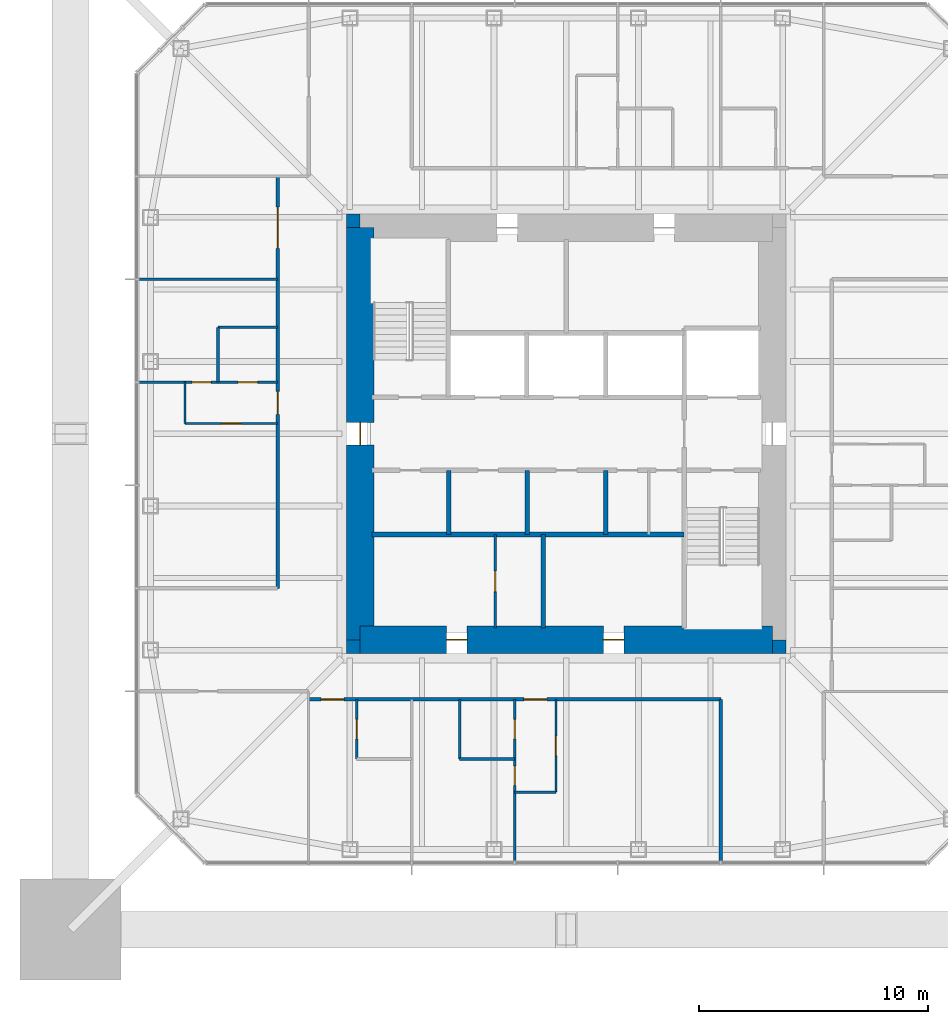
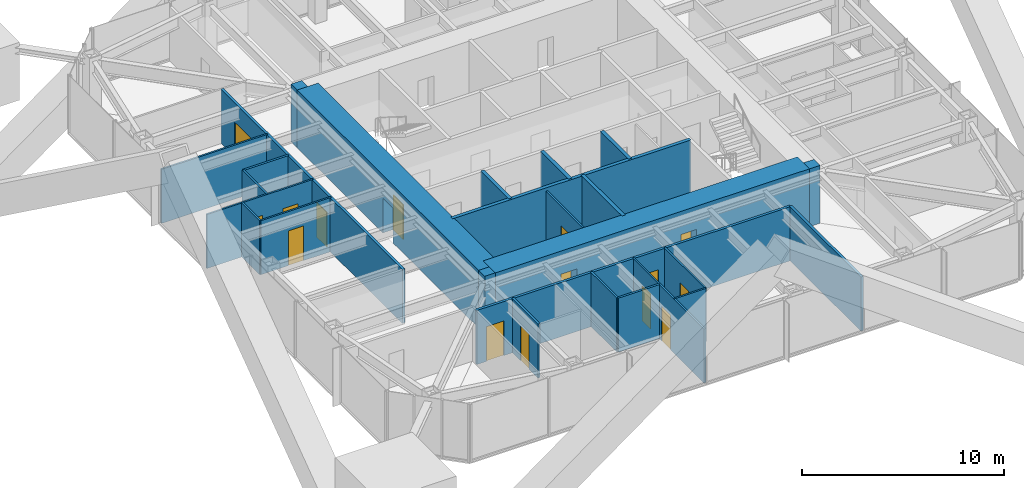
# One storey, part 8 of 13: 26 walls, 15 doors, 15 openings.
"""IFC4 building model written with IfcOpenShell, lengths in metres."""

from ifc_helpers import new_model, si_unit, direction, frame, frame_2d, origin, place, context, subcontext, project, spatial, rectangle, extrude, material, layer, layer_set, type_object, element, fill, save


model = new_model("IFC4")

# Units and contexts
model_context = context("Model", 3, precision=1e-05, world=origin(), true_north=direction((0.0, 1.0)))
body_context = subcontext(model_context, "Body", "Model", "MODEL_VIEW")
ifc_project = project(units=[si_unit("LENGTHUNIT", "METRE"), si_unit("AREAUNIT", "SQUARE_METRE"), si_unit("VOLUMEUNIT", "CUBIC_METRE"), si_unit("PLANEANGLEUNIT", "RADIAN"), si_unit("MASSUNIT", "GRAM", prefix="KILO")], contexts=[model_context])

# Site, building, storey
site_placement = place(None, origin())
site = spatial("IfcSite", under=ifc_project, at=site_placement, CompositionType="ELEMENT")
building_placement = place(site_placement, origin())
building = spatial("IfcBuilding", under=site, at=building_placement, Name="Iwan Alto Co-Living Towers", CompositionType="ELEMENT")
storey_placement = place(building_placement, frame((0.0, 0.0, 184.5)))
storey = spatial("IfcBuildingStorey", under=building, at=storey_placement, Name="L50", CompositionType="ELEMENT", Elevation=184.5)

# Wall, openings, doors
ifc_material_1 = material(Name="Gypsum board")
ifc_layer_1 = layer(ifc_material_1, 0.02490234375, Name="Board", Category="Finish")
ifc_material_2 = material(Name="Steel ASTM A1003 ST33H cold-formed studs", Category="steel")
ifc_layer_2 = layer(ifc_material_2, 0.10009765625, Name="Studs", Category="Framing")
ifc_layer_3 = layer(ifc_material_1, 0.02490234375, Name="Board", Category="Finish")
ifc_layer_set_1 = layer_set([ifc_layer_1, ifc_layer_2, ifc_layer_3], Name="CORRIDOR WALL 150")
wall_type_1 = type_object("IfcWallType", Name="CORRIDOR WALL 150", PredefinedType="PARTITIONING", material=ifc_layer_set_1)
wall_1_placement = place(storey_placement, frame((-11.25, -11.60009765625, 0.0), z_axis=(0.0, 0.0, 1.0), x_axis=(1.0, 0.0, 0.0)))
wall_1 = element("IfcWall", 1, at=wall_1_placement, inside=storey, type_object=wall_type_1, Name="Partition L50", PredefinedType="PARTITIONING", context=body_context, shape_type="SweptSolid", body=[
    extrude(rectangle(XDim=18.0, YDim=0.14990234375, at=frame_2d((9.0, 0.0))), origin(), (0.0, 0.0, 1.0), 3.27001953125),
])
opening_1_placement = place(wall_1_placement, frame((0.550048828125, 0.0, 0.0)))
opening_1 = element("IfcOpeningElement", 2, at=opening_1_placement, cuts=wall_1, Name="Opening D3", PredefinedType="OPENING", context=body_context, shape_type="SweptSolid", body=[
    extrude(rectangle(XDim=1.0, YDim=2.10009765625, at=frame_2d((0.5, 1.050048828125))), frame((0.0, 0.0849609375, 0.0), z_axis=(0.0, -1.0, 0.0), x_axis=(1.0, 0.0, 0.0)), (0.0, 0.0, 1.0), 0.169921875),
])
opening_2_placement = place(wall_1_placement, frame((9.39990234375, 0.0, 0.0)))
opening_2 = element("IfcOpeningElement", 3, at=opening_2_placement, cuts=wall_1, Name="Opening D3", PredefinedType="OPENING", context=body_context, shape_type="SweptSolid", body=[
    extrude(rectangle(XDim=1.0, YDim=2.10009765625, at=frame_2d((0.5, 1.050048828125))), frame((0.0, 0.0849609375, 0.0), z_axis=(0.0, -1.0, 0.0), x_axis=(1.0, 0.0, 0.0)), (0.0, 0.0, 1.0), 0.169921875),
])
ifc_material_3 = material(Name="Steel frame with timber leaf", Category="steel")
door_type_1 = type_object("IfcDoorType", Name="FLAT ENTRANCE DOOR FD30S 1000X2100", OperationType="SINGLE_SWING_LEFT", PredefinedType="DOOR", material=ifc_material_3)
door_1_placement = place(opening_1_placement, frame((1.0, 0.0, 0.0), z_axis=(0.0, 0.0, 1.0), x_axis=(-1.0, 0.0, 0.0)))
door_1 = element("IfcDoor", 4, at=door_1_placement, inside=storey, type_object=door_type_1, Name="Studio door L50", OperationType="SINGLE_SWING_RIGHT", OverallHeight=2.10009765625, OverallWidth=1.0, PredefinedType="DOOR", context=body_context, shape_type="SweptSolid", body=[
    extrude(rectangle(XDim=1.0, YDim=2.10009765625, at=frame_2d((0.5, 1.050048828125))), frame((0.0, 0.02490234375, 0.0), z_axis=(0.0, -1.0, 0.0), x_axis=(1.0, 0.0, 0.0)), (0.0, 0.0, 1.0), 0.050048828125),
])
fill(opening_1, door_1)
door_2_placement = place(opening_2_placement, frame((1.0, 0.0, 0.0), z_axis=(0.0, 0.0, 1.0), x_axis=(-1.0, 0.0, 0.0)))
door_2 = element("IfcDoor", 5, at=door_2_placement, inside=storey, type_object=door_type_1, Name="Apartment foyer door L50", OperationType="SINGLE_SWING_RIGHT", OverallHeight=2.10009765625, OverallWidth=1.0, PredefinedType="DOOR", context=body_context, shape_type="SweptSolid", body=[
    extrude(rectangle(XDim=1.0, YDim=2.10009765625, at=frame_2d((0.5, 1.050048828125))), frame((0.0, 0.02490234375, 0.0), z_axis=(0.0, -1.0, 0.0), x_axis=(1.0, 0.0, 0.0)), (0.0, 0.0, 1.0), 0.050048828125),
])
fill(opening_2, door_2)

# Wall
wall_2_placement = place(storey_placement, frame((6.75, -18.68994140625, 0.0), z_axis=(0.0, 0.0, 1.0), x_axis=(0.0, 1.0, 0.0)))
element("IfcWall", 6, at=wall_2_placement, inside=storey, type_object=wall_type_1, Name="Partition L50", PredefinedType="PARTITIONING", context=body_context, shape_type="SweptSolid", body=[
    extrude(rectangle(XDim=7.08984375, YDim=0.14990234375, at=frame_2d((3.544921875, 0.0))), origin(), (0.0, 0.0, 1.0), 3.27001953125),
])

# Wall, openings, doors
wall_3_placement = place(storey_placement, frame((-12.60009765625, -6.75, 0.0), z_axis=(0.0, 0.0, 1.0), x_axis=(0.0, 1.0, 0.0)))
wall_3 = element("IfcWall", 7, at=wall_3_placement, inside=storey, type_object=wall_type_1, Name="Partition L50", PredefinedType="PARTITIONING", context=body_context, shape_type="SweptSolid", body=[
    extrude(rectangle(XDim=18.0, YDim=0.14990234375, at=frame_2d((9.0, 0.0))), origin(), (0.0, 0.0, 1.0), 3.27001953125),
])
opening_3_placement = place(wall_3_placement, frame((14.85009765625, 0.0, 0.0)))
opening_3 = element("IfcOpeningElement", 8, at=opening_3_placement, cuts=wall_3, Name="Opening D9", PredefinedType="OPENING", context=body_context, shape_type="SweptSolid", body=[
    extrude(rectangle(XDim=1.800048828125, YDim=2.10009765625, at=frame_2d((0.89990234375, 1.050048828125))), frame((0.0, 0.0849609375, 0.0), z_axis=(0.0, -1.0, 0.0), x_axis=(1.0, 0.0, 0.0)), (0.0, 0.0, 1.0), 0.169921875),
])
opening_4_placement = place(wall_3_placement, frame((7.60009765625, 0.0, 0.0)))
opening_4 = element("IfcOpeningElement", 9, at=opening_4_placement, cuts=wall_3, Name="Opening D3", PredefinedType="OPENING", context=body_context, shape_type="SweptSolid", body=[
    extrude(rectangle(XDim=1.0, YDim=2.10009765625, at=frame_2d((0.5, 1.050048828125))), frame((0.0, 0.0849609375, 0.0), z_axis=(0.0, -1.0, 0.0), x_axis=(1.0, 0.0, 0.0)), (0.0, 0.0, 1.0), 0.169921875),
])
door_3_placement = place(opening_4_placement, origin())
door_3 = element("IfcDoor", 10, at=door_3_placement, inside=storey, type_object=door_type_1, Name="Apartment foyer door L50", OperationType="SINGLE_SWING_LEFT", OverallHeight=2.10009765625, OverallWidth=1.0, PredefinedType="DOOR", context=body_context, shape_type="SweptSolid", body=[
    extrude(rectangle(XDim=1.0, YDim=2.10009765625, at=frame_2d((0.5, 1.050048828125))), frame((0.0, 0.02490234375, 0.0), z_axis=(0.0, -1.0, 0.0), x_axis=(1.0, 0.0, 0.0)), (0.0, 0.0, 1.0), 0.050048828125),
])
fill(opening_4, door_3)
ifc_material_4 = material(Name="Steel frame with timber leaf", Category="steel")
door_type_2 = type_object("IfcDoorType", Name="LOUNGE DOOR FD30S 1800X2100", OperationType="DOUBLE_DOOR_SINGLE_SWING", PredefinedType="DOOR", material=ifc_material_4)
door_4_placement = place(opening_3_placement, origin())
door_4 = element("IfcDoor", 11, at=door_4_placement, inside=storey, type_object=door_type_2, Name="Music practice room door L50", OperationType="DOUBLE_DOOR_SINGLE_SWING", OverallHeight=2.10009765625, OverallWidth=1.800048828125, PredefinedType="DOOR", context=body_context, shape_type="SweptSolid", body=[
    extrude(rectangle(XDim=1.800048828125, YDim=2.10009765625, at=frame_2d((0.89990234375, 1.050048828125))), frame((0.0, 0.02490234375, 0.0), z_axis=(0.0, -1.0, 0.0), x_axis=(1.0, 0.0, 0.0)), (0.0, 0.0, 1.0), 0.050048828125),
])
fill(opening_3, door_4)

# Wall
ifc_layer_4 = layer(ifc_material_1, 0.012451171875, Name="Board", Category="Finish")
ifc_layer_5 = layer(ifc_material_2, 0.074951171875, Name="Studs", Category="Framing")
ifc_layer_6 = layer(ifc_material_1, 0.012451171875, Name="Board", Category="Finish")
ifc_layer_set_2 = layer_set([ifc_layer_4, ifc_layer_5, ifc_layer_6], Name="PARTITION 100")
wall_type_2 = type_object("IfcWallType", Name="PARTITION 100", PredefinedType="PARTITIONING", material=ifc_layer_set_2)
wall_4_placement = place(storey_placement, frame((-2.25, -15.64990234375, 0.0), z_axis=(0.0, 0.0, 1.0), x_axis=(1.0, 0.0, 0.0)))
element("IfcWall", 12, at=wall_4_placement, inside=storey, type_object=wall_type_2, Name="Partition L50", PredefinedType="PARTITIONING", context=body_context, shape_type="SweptSolid", body=[
    extrude(rectangle(XDim=1.800048828125, YDim=0.10009765625, at=frame_2d((0.89990234375, 0.0))), origin(), (0.0, 0.0, 1.0), 3.27001953125),
])

# Wall, opening, door
wall_5_placement = place(storey_placement, frame((-16.64990234375, 0.449951171875, 0.0), z_axis=(0.0, 0.0, 1.0), x_axis=(1.0, 0.0, 0.0)))
wall_5 = element("IfcWall", 13, at=wall_5_placement, inside=storey, type_object=wall_type_2, Name="Partition L50", PredefinedType="PARTITIONING", context=body_context, shape_type="SweptSolid", body=[
    extrude(rectangle(XDim=4.0498046875, YDim=0.10009765625, at=frame_2d((2.02490234375, 0.0))), origin(), (0.0, 0.0, 1.0), 3.27001953125),
])
opening_5_placement = place(wall_5_placement, frame((1.60009765625, 0.0, 0.0)))
opening_5 = element("IfcOpeningElement", 14, at=opening_5_placement, cuts=wall_5, Name="Opening D2", PredefinedType="OPENING", context=body_context, shape_type="SweptSolid", body=[
    extrude(rectangle(XDim=0.85009765625, YDim=2.10009765625, at=frame_2d((0.425048828125, 1.050048828125))), frame((0.0, 0.06005859375, 0.0), z_axis=(0.0, -1.0, 0.0), x_axis=(1.0, 0.0, 0.0)), (0.0, 0.0, 1.0), 0.1201171875),
])
ifc_material_5 = material(Name="Timber leaf in steel frame", Category="steel")
door_type_3 = type_object("IfcDoorType", Name="ROOM DOOR 850X2100", OperationType="SINGLE_SWING_LEFT", PredefinedType="DOOR", material=ifc_material_5)
door_5_placement = place(opening_5_placement, frame((0.85009765625, 0.0, 0.0), z_axis=(0.0, 0.0, 1.0), x_axis=(-1.0, 0.0, 0.0)))
door_5 = element("IfcDoor", 15, at=door_5_placement, inside=storey, type_object=door_type_3, Name="Apartment foyer door L50", OperationType="SINGLE_SWING_LEFT", OverallHeight=2.10009765625, OverallWidth=0.85009765625, PredefinedType="DOOR", context=body_context, shape_type="SweptSolid", body=[
    extrude(rectangle(XDim=0.85009765625, YDim=2.10009765625, at=frame_2d((0.425048828125, 1.050048828125))), frame((0.0, 0.02490234375, 0.0), z_axis=(0.0, -1.0, 0.0), x_axis=(1.0, 0.0, 0.0)), (0.0, 0.0, 1.0), 0.050048828125),
])
fill(opening_5, door_5)

# Wall, openings, doors
wall_6_placement = place(storey_placement, frame((-18.68994140625, 2.25, 0.0), z_axis=(0.0, 0.0, 1.0), x_axis=(1.0, 0.0, 0.0)))
wall_6 = element("IfcWall", 16, at=wall_6_placement, inside=storey, type_object=wall_type_2, Name="Partition L50", PredefinedType="PARTITIONING", context=body_context, shape_type="SweptSolid", body=[
    extrude(rectangle(XDim=6.08984375, YDim=0.10009765625, at=frame_2d((3.044921875, 0.0))), origin(), (0.0, 0.0, 1.0), 3.27001953125),
])
opening_6_placement = place(wall_6_placement, frame((2.340087890625, 0.0, 0.0)))
opening_6 = element("IfcOpeningElement", 17, at=opening_6_placement, cuts=wall_6, Name="Opening D2", PredefinedType="OPENING", context=body_context, shape_type="SweptSolid", body=[
    extrude(rectangle(XDim=0.85009765625, YDim=2.10009765625, at=frame_2d((0.425048828125, 1.050048828125))), frame((0.0, 0.06005859375, 0.0), z_axis=(0.0, -1.0, 0.0), x_axis=(1.0, 0.0, 0.0)), (0.0, 0.0, 1.0), 0.1201171875),
])
opening_7_placement = place(wall_6_placement, frame((4.364990234375, 0.0, 0.0)))
opening_7 = element("IfcOpeningElement", 18, at=opening_7_placement, cuts=wall_6, Name="Opening D2", PredefinedType="OPENING", context=body_context, shape_type="SweptSolid", body=[
    extrude(rectangle(XDim=0.85009765625, YDim=2.10009765625, at=frame_2d((0.425048828125, 1.050048828125))), frame((0.0, 0.06005859375, 0.0), z_axis=(0.0, -1.0, 0.0), x_axis=(1.0, 0.0, 0.0)), (0.0, 0.0, 1.0), 0.1201171875),
])
door_6_placement = place(opening_6_placement, origin())
door_6 = element("IfcDoor", 19, at=door_6_placement, inside=storey, type_object=door_type_3, Name="Bedroom door L50", OperationType="SINGLE_SWING_RIGHT", OverallHeight=2.10009765625, OverallWidth=0.85009765625, PredefinedType="DOOR", context=body_context, shape_type="SweptSolid", body=[
    extrude(rectangle(XDim=0.85009765625, YDim=2.10009765625, at=frame_2d((0.425048828125, 1.050048828125))), frame((0.0, 0.02490234375, 0.0), z_axis=(0.0, -1.0, 0.0), x_axis=(1.0, 0.0, 0.0)), (0.0, 0.0, 1.0), 0.050048828125),
])
fill(opening_6, door_6)
door_7_placement = place(opening_7_placement, origin())
door_7 = element("IfcDoor", 20, at=door_7_placement, inside=storey, type_object=door_type_3, Name="Bathroom door L50", OperationType="SINGLE_SWING_LEFT", OverallHeight=2.10009765625, OverallWidth=0.85009765625, PredefinedType="DOOR", context=body_context, shape_type="SweptSolid", body=[
    extrude(rectangle(XDim=0.85009765625, YDim=2.10009765625, at=frame_2d((0.425048828125, 1.050048828125))), frame((0.0, 0.02490234375, 0.0), z_axis=(0.0, -1.0, 0.0), x_axis=(1.0, 0.0, 0.0)), (0.0, 0.0, 1.0), 0.050048828125),
])
fill(opening_7, door_7)

# Wall
wall_7_placement = place(storey_placement, frame((-18.68994140625, 6.75, 0.0), z_axis=(0.0, 0.0, 1.0), x_axis=(1.0, 0.0, 0.0)))
element("IfcWall", 21, at=wall_7_placement, inside=storey, type_object=wall_type_2, Name="Partition L50", PredefinedType="PARTITIONING", context=body_context, shape_type="SweptSolid", body=[
    extrude(rectangle(XDim=6.08984375, YDim=0.10009765625, at=frame_2d((3.044921875, 0.0))), origin(), (0.0, 0.0, 1.0), 3.27001953125),
])

# Wall, opening, door
wall_8_placement = place(storey_placement, frame((-0.449951171875, -15.64990234375, 0.0), z_axis=(0.0, 0.0, 1.0), x_axis=(0.0, 1.0, 0.0)))
wall_8 = element("IfcWall", 22, at=wall_8_placement, inside=storey, type_object=wall_type_2, Name="Partition L50", PredefinedType="PARTITIONING", context=body_context, shape_type="SweptSolid", body=[
    extrude(rectangle(XDim=4.0498046875, YDim=0.10009765625, at=frame_2d((2.02490234375, 0.0))), origin(), (0.0, 0.0, 1.0), 3.27001953125),
])
opening_8_placement = place(wall_8_placement, frame((1.60009765625, 0.0, 0.0)))
opening_8 = element("IfcOpeningElement", 23, at=opening_8_placement, cuts=wall_8, Name="Opening D2", PredefinedType="OPENING", context=body_context, shape_type="SweptSolid", body=[
    extrude(rectangle(XDim=0.85009765625, YDim=2.10009765625, at=frame_2d((0.425048828125, 1.050048828125))), frame((0.0, 0.06005859375, 0.0), z_axis=(0.0, -1.0, 0.0), x_axis=(1.0, 0.0, 0.0)), (0.0, 0.0, 1.0), 0.1201171875),
])
door_8_placement = place(opening_8_placement, frame((0.85009765625, 0.0, 0.0), z_axis=(0.0, 0.0, 1.0), x_axis=(-1.0, 0.0, 0.0)))
door_8 = element("IfcDoor", 24, at=door_8_placement, inside=storey, type_object=door_type_3, Name="Apartment foyer door L50", OperationType="SINGLE_SWING_LEFT", OverallHeight=2.10009765625, OverallWidth=0.85009765625, PredefinedType="DOOR", context=body_context, shape_type="SweptSolid", body=[
    extrude(rectangle(XDim=0.85009765625, YDim=2.10009765625, at=frame_2d((0.425048828125, 1.050048828125))), frame((0.0, 0.02490234375, 0.0), z_axis=(0.0, -1.0, 0.0), x_axis=(1.0, 0.0, 0.0)), (0.0, 0.0, 1.0), 0.050048828125),
])
fill(opening_8, door_8)

# Wall, openings, doors
wall_9_placement = place(storey_placement, frame((-2.25, -18.68994140625, 0.0), z_axis=(0.0, 0.0, 1.0), x_axis=(0.0, 1.0, 0.0)))
wall_9 = element("IfcWall", 25, at=wall_9_placement, inside=storey, type_object=wall_type_2, Name="Partition L50", PredefinedType="PARTITIONING", context=body_context, shape_type="SweptSolid", body=[
    extrude(rectangle(XDim=7.08984375, YDim=0.10009765625, at=frame_2d((3.544921875, 0.0))), origin(), (0.0, 0.0, 1.0), 3.27001953125),
])
opening_9_placement = place(wall_9_placement, frame((3.340087890625, 0.0, 0.0)))
opening_9 = element("IfcOpeningElement", 26, at=opening_9_placement, cuts=wall_9, Name="Opening D2", PredefinedType="OPENING", context=body_context, shape_type="SweptSolid", body=[
    extrude(rectangle(XDim=0.85009765625, YDim=2.10009765625, at=frame_2d((0.425048828125, 1.050048828125))), frame((0.0, 0.06005859375, 0.0), z_axis=(0.0, -1.0, 0.0), x_axis=(1.0, 0.0, 0.0)), (0.0, 0.0, 1.0), 0.1201171875),
])
opening_10_placement = place(wall_9_placement, frame((5.364990234375, 0.0, 0.0)))
opening_10 = element("IfcOpeningElement", 27, at=opening_10_placement, cuts=wall_9, Name="Opening D2", PredefinedType="OPENING", context=body_context, shape_type="SweptSolid", body=[
    extrude(rectangle(XDim=0.85009765625, YDim=2.10009765625, at=frame_2d((0.425048828125, 1.050048828125))), frame((0.0, 0.06005859375, 0.0), z_axis=(0.0, -1.0, 0.0), x_axis=(1.0, 0.0, 0.0)), (0.0, 0.0, 1.0), 0.1201171875),
])
door_9_placement = place(opening_9_placement, origin())
door_9 = element("IfcDoor", 28, at=door_9_placement, inside=storey, type_object=door_type_3, Name="Bedroom door L50", OperationType="SINGLE_SWING_RIGHT", OverallHeight=2.10009765625, OverallWidth=0.85009765625, PredefinedType="DOOR", context=body_context, shape_type="SweptSolid", body=[
    extrude(rectangle(XDim=0.85009765625, YDim=2.10009765625, at=frame_2d((0.425048828125, 1.050048828125))), frame((0.0, 0.02490234375, 0.0), z_axis=(0.0, -1.0, 0.0), x_axis=(1.0, 0.0, 0.0)), (0.0, 0.0, 1.0), 0.050048828125),
])
fill(opening_9, door_9)
door_10_placement = place(opening_10_placement, origin())
door_10 = element("IfcDoor", 29, at=door_10_placement, inside=storey, type_object=door_type_3, Name="Bathroom door L50", OperationType="SINGLE_SWING_LEFT", OverallHeight=2.10009765625, OverallWidth=0.85009765625, PredefinedType="DOOR", context=body_context, shape_type="SweptSolid", body=[
    extrude(rectangle(XDim=0.85009765625, YDim=2.10009765625, at=frame_2d((0.425048828125, 1.050048828125))), frame((0.0, 0.02490234375, 0.0), z_axis=(0.0, -1.0, 0.0), x_axis=(1.0, 0.0, 0.0)), (0.0, 0.0, 1.0), 0.050048828125),
])
fill(opening_10, door_10)

# Wall, opening, door
wall_10_placement = place(storey_placement, frame((-3.10009765625, -8.489990234375, 0.0), z_axis=(0.0, 0.0, 1.0), x_axis=(0.0, 1.0, 0.0)))
wall_10 = element("IfcWall", 30, at=wall_10_placement, inside=storey, type_object=wall_type_2, Name="Partition L50", PredefinedType="PARTITIONING", context=body_context, shape_type="SweptSolid", body=[
    extrude(rectangle(XDim=4.090087890625, YDim=0.10009765625, at=frame_2d((2.044921875, 0.0))), origin(), (0.0, 0.0, 1.0), 3.300048828125),
])
opening_11_placement = place(wall_10_placement, frame((1.594970703125, 0.0, 0.0)))
opening_11 = element("IfcOpeningElement", 31, at=opening_11_placement, cuts=wall_10, Name="Opening D16", PredefinedType="OPENING", context=body_context, shape_type="SweptSolid", body=[
    extrude(rectangle(XDim=0.89990234375, YDim=2.10009765625, at=frame_2d((0.449951171875, 1.050048828125))), frame((0.0, 0.06005859375, 0.0), z_axis=(0.0, -1.0, 0.0), x_axis=(1.0, 0.0, 0.0)), (0.0, 0.0, 1.0), 0.1201171875),
])
ifc_material_6 = material(Name="Timber leaf in steel frame", Category="steel")
door_type_4 = type_object("IfcDoorType", Name="CUPBOARD SLIDING DOOR 900X2100", OperationType="SLIDING_TO_LEFT", PredefinedType="DOOR", material=ifc_material_6)
door_11_placement = place(opening_11_placement, origin())
door_11 = element("IfcDoor", 32, at=door_11_placement, inside=storey, type_object=door_type_4, Name="Recycling store door L50", OperationType="SLIDING_TO_LEFT", OverallHeight=2.10009765625, OverallWidth=0.89990234375, PredefinedType="DOOR", context=body_context, shape_type="SweptSolid", body=[
    extrude(rectangle(XDim=0.89990234375, YDim=2.10009765625, at=frame_2d((0.449951171875, 1.050048828125))), frame((0.0, 0.02490234375, 0.0), z_axis=(0.0, -1.0, 0.0), x_axis=(1.0, 0.0, 0.0)), (0.0, 0.0, 1.0), 0.050048828125),
])
fill(opening_11, door_11)

# Walls
wall_11_placement = place(storey_placement, frame((-16.64990234375, 0.449951171875, 0.0), z_axis=(0.0, 0.0, 1.0), x_axis=(0.0, 1.0, 0.0)))
element("IfcWall", 33, at=wall_11_placement, inside=storey, type_object=wall_type_2, Name="Partition L50", PredefinedType="PARTITIONING", context=body_context, shape_type="SweptSolid", body=[
    extrude(rectangle(XDim=1.800048828125, YDim=0.10009765625, at=frame_2d((0.89990234375, 0.0))), origin(), (0.0, 0.0, 1.0), 3.27001953125),
])
ifc_material_7 = material(Name="Concrete f'c 70 MPa", Category="concrete")
ifc_layer_7 = layer(ifc_material_7, 0.199951171875)
ifc_layer_set_3 = layer_set([ifc_layer_7], Name="SHAFT WALL 200")
wall_type_3 = type_object("IfcWallType", Name="SHAFT WALL 200", PredefinedType="SOLIDWALL", material=ifc_layer_set_3)
wall_12_placement = place(storey_placement, frame((-8.489990234375, -4.39990234375, 0.0), z_axis=(0.0, 0.0, 1.0), x_axis=(1.0, 0.0, 0.0)))
element("IfcWall", 34, at=wall_12_placement, inside=storey, type_object=wall_type_3, Name="Shaft wall L50", PredefinedType="SOLIDWALL", context=body_context, shape_type="SweptSolid", body=[
    extrude(rectangle(XDim=13.639892578125, YDim=0.199951171875, at=frame_2d((6.81982421875, 0.0))), origin(), (0.0, 0.0, 1.0), 3.5),
])
wall_13_placement = place(storey_placement, frame((1.72509765625, -4.39990234375, 0.0), z_axis=(0.0, 0.0, 1.0), x_axis=(0.0, 1.0, 0.0)))
element("IfcWall", 35, at=wall_13_placement, inside=storey, type_object=wall_type_3, Name="Shaft wall L50", PredefinedType="SOLIDWALL", context=body_context, shape_type="SweptSolid", body=[
    extrude(rectangle(XDim=2.7998046875, YDim=0.199951171875, at=frame_2d((1.39990234375, 0.0))), origin(), (0.0, 0.0, 1.0), 3.5),
])
wall_14_placement = place(storey_placement, frame((-1.0, -8.489990234375, 0.0), z_axis=(0.0, 0.0, 1.0), x_axis=(0.0, 1.0, 0.0)))
element("IfcWall", 36, at=wall_14_placement, inside=storey, type_object=wall_type_3, Name="Shaft wall L50", PredefinedType="SOLIDWALL", context=body_context, shape_type="SweptSolid", body=[
    extrude(rectangle(XDim=4.090087890625, YDim=0.199951171875, at=frame_2d((2.044921875, 0.0))), origin(), (0.0, 0.0, 1.0), 3.5),
])
for number, where, z_axis, x_axis, name in (
    (37, (-1.699951171875, -4.39990234375, 0.0), (0.0, 0.0, 1.0), (0.0, 1.0, 0.0), "Shaft wall L50"),
    (38, (-5.125, -4.39990234375, 0.0), (0.0, 0.0, 1.0), (0.0, 1.0, 0.0), "Shaft wall L50"),
):
    element("IfcWall", number, at=place(storey_placement, frame(where, z_axis=z_axis, x_axis=x_axis)), inside=storey, type_object=wall_type_3, Name=name, PredefinedType="SOLIDWALL", context=body_context, shape_type="SweptSolid", body=[
        extrude(rectangle(XDim=2.7998046875, YDim=0.199951171875, at=frame_2d((1.39990234375, 0.0))), origin(), (0.0, 0.0, 1.0), 3.5),
    ])
ifc_material_8 = material(Name="Concrete f'c 70 MPa", Category="concrete")
ifc_layer_8 = layer(ifc_material_8, 0.60009765625)
ifc_layer_set_4 = layer_set([ifc_layer_8], Name="T1 CORE CORNER FILL 600")
wall_type_4 = type_object("IfcWallType", Name="T1 CORE CORNER FILL 600", PredefinedType="SOLIDWALL", material=ifc_layer_set_4)
for number, where, z_axis, x_axis, name in (
    (39, (-9.60009765625, -9.300048828125, 0.0), (0.0, 0.0, 1.0), (1.0, 0.0, 0.0), "T1 core corner SW L50"),
    (40, (9.0, -9.300048828125, 0.0), (0.0, 0.0, 1.0), (1.0, 0.0, 0.0), "T1 core corner SE L50"),
    (41, (-9.60009765625, 9.300048828125, 0.0), (0.0, 0.0, 1.0), (1.0, 0.0, 0.0), "T1 core corner NW L50"),
):
    element("IfcWall", number, at=place(storey_placement, frame(where, z_axis=z_axis, x_axis=x_axis)), inside=storey, type_object=wall_type_4, Name=name, PredefinedType="SOLIDWALL", context=body_context, shape_type="SweptSolid", body=[
        extrude(rectangle(XDim=0.60009765625, YDim=0.60009765625, at=frame_2d((0.300048828125, 0.0))), origin(), (0.0, 0.0, 1.0), 3.5),
    ])

# Wall, openings, doors
ifc_material_9 = material(Name="Concrete f'c 70 MPa", Category="concrete")
ifc_layer_9 = layer(ifc_material_9, 1.199951171875)
ifc_layer_set_5 = layer_set([ifc_layer_9], Name="T1 CORE WALL 1200")
wall_type_5 = type_object("IfcWallType", Name="T1 CORE WALL 1200", PredefinedType="SHEAR", material=ifc_layer_set_5)
wall_15_placement = place(storey_placement, frame((-9.0, -9.0, 0.0), z_axis=(0.0, 0.0, 1.0), x_axis=(1.0, 0.0, 0.0)))
wall_15 = element("IfcWall", 42, at=wall_15_placement, inside=storey, type_object=wall_type_5, Name="T1 core wall S L50", PredefinedType="SHEAR", context=body_context, shape_type="SweptSolid", body=[
    extrude(rectangle(XDim=18.0, YDim=1.199951171875, at=frame_2d((9.0, 0.0))), origin(), (0.0, 0.0, 1.0), 3.5),
])
opening_12_placement = place(wall_15_placement, frame((3.77490234375, 0.0, 0.0)))
opening_12 = element("IfcOpeningElement", 43, at=opening_12_placement, cuts=wall_15, Name="Opening D8", PredefinedType="OPENING", context=body_context, shape_type="SweptSolid", body=[
    extrude(rectangle(XDim=0.89990234375, YDim=2.10009765625, at=frame_2d((0.449951171875, 1.050048828125))), frame((0.0, 0.60986328125, 0.0), z_axis=(0.0, -1.0, 0.0), x_axis=(1.0, 0.0, 0.0)), (0.0, 0.0, 1.0), 1.219970703125),
])
opening_13_placement = place(wall_15_placement, frame((10.625, 0.0, 0.0)))
opening_13 = element("IfcOpeningElement", 44, at=opening_13_placement, cuts=wall_15, Name="Opening D8", PredefinedType="OPENING", context=body_context, shape_type="SweptSolid", body=[
    extrude(rectangle(XDim=0.89990234375, YDim=2.10009765625, at=frame_2d((0.449951171875, 1.050048828125))), frame((0.0, 0.60986328125, 0.0), z_axis=(0.0, -1.0, 0.0), x_axis=(1.0, 0.0, 0.0)), (0.0, 0.0, 1.0), 1.219970703125),
])
ifc_material_10 = material(Name="Steel frame with timber leaf", Category="steel")
door_type_5 = type_object("IfcDoorType", Name="RISER DOOR FD120 900X2100", OperationType="SINGLE_SWING_LEFT", PredefinedType="DOOR", material=ifc_material_10)
door_12_placement = place(opening_12_placement, origin())
door_12 = element("IfcDoor", 45, at=door_12_placement, inside=storey, type_object=door_type_5, Name="Refuse room core door L50", OperationType="SINGLE_SWING_RIGHT", OverallHeight=2.10009765625, OverallWidth=0.89990234375, PredefinedType="DOOR", context=body_context, shape_type="SweptSolid", body=[
    extrude(rectangle(XDim=0.89990234375, YDim=2.10009765625, at=frame_2d((0.449951171875, 1.050048828125))), frame((0.0, 0.02490234375, 0.0), z_axis=(0.0, -1.0, 0.0), x_axis=(1.0, 0.0, 0.0)), (0.0, 0.0, 1.0), 0.050048828125),
])
fill(opening_12, door_12)
door_13_placement = place(opening_13_placement, origin())
door_13 = element("IfcDoor", 46, at=door_13_placement, inside=storey, type_object=door_type_5, Name="Telecom riser core door L50", OperationType="SINGLE_SWING_LEFT", OverallHeight=2.10009765625, OverallWidth=0.89990234375, PredefinedType="DOOR", context=body_context, shape_type="SweptSolid", body=[
    extrude(rectangle(XDim=0.89990234375, YDim=2.10009765625, at=frame_2d((0.449951171875, 1.050048828125))), frame((0.0, 0.02490234375, 0.0), z_axis=(0.0, -1.0, 0.0), x_axis=(1.0, 0.0, 0.0)), (0.0, 0.0, 1.0), 0.050048828125),
])
fill(opening_13, door_13)

# Wall, opening, door
wall_16_placement = place(storey_placement, frame((-9.0, 9.0, 0.0), z_axis=(0.0, 0.0, 1.0), x_axis=(0.0, -1.0, 0.0)))
wall_16 = element("IfcWall", 47, at=wall_16_placement, inside=storey, type_object=wall_type_5, Name="T1 core wall W L50", PredefinedType="SHEAR", context=body_context, shape_type="SweptSolid", body=[
    extrude(rectangle(XDim=18.0, YDim=1.199951171875, at=frame_2d((9.0, 0.0))), origin(), (0.0, 0.0, 1.0), 3.5),
])
opening_14_placement = place(wall_16_placement, frame((8.5, 0.0, 0.0)))
opening_14 = element("IfcOpeningElement", 48, at=opening_14_placement, cuts=wall_16, Name="Opening D7", PredefinedType="OPENING", context=body_context, shape_type="SweptSolid", body=[
    extrude(rectangle(XDim=1.0, YDim=2.10009765625, at=frame_2d((0.5, 1.050048828125))), frame((0.0, 0.60986328125, 0.0), z_axis=(0.0, -1.0, 0.0), x_axis=(1.0, 0.0, 0.0)), (0.0, 0.0, 1.0), 1.219970703125),
])
ifc_material_11 = material(Name="Steel frame with timber leaf", Category="steel")
door_type_6 = type_object("IfcDoorType", Name="CORE DOOR FD120S 1000X2100", OperationType="SINGLE_SWING_LEFT", PredefinedType="DOOR", material=ifc_material_11)
door_14_placement = place(opening_14_placement, origin())
door_14 = element("IfcDoor", 49, at=door_14_placement, inside=storey, type_object=door_type_6, Name="Lift lobby core door L50", OperationType="SINGLE_SWING_RIGHT", OverallHeight=2.10009765625, OverallWidth=1.0, PredefinedType="DOOR", context=body_context, shape_type="SweptSolid", body=[
    extrude(rectangle(XDim=1.0, YDim=2.10009765625, at=frame_2d((0.5, 1.050048828125))), frame((0.0, 0.02490234375, 0.0), z_axis=(0.0, -1.0, 0.0), x_axis=(1.0, 0.0, 0.0)), (0.0, 0.0, 1.0), 0.050048828125),
])
fill(opening_14, door_14)

# Walls
ifc_material_12 = material(Name="Cement board")
ifc_layer_10 = layer(ifc_material_12, 0.012451171875, Name="Board", Category="Finish")
ifc_layer_11 = layer(ifc_material_2, 0.094970703125, Name="Studs", Category="Framing")
ifc_layer_12 = layer(ifc_material_12, 0.012451171875, Name="Board", Category="Finish")
ifc_layer_set_6 = layer_set([ifc_layer_10, ifc_layer_11, ifc_layer_12], Name="WET AREA PARTITION 120")
wall_type_6 = type_object("IfcWallType", Name="WET AREA PARTITION 120", PredefinedType="PARTITIONING", material=ifc_layer_set_6)
wall_17_placement = place(storey_placement, frame((-4.64990234375, -14.199951171875, 0.0), z_axis=(0.0, 0.0, 1.0), x_axis=(1.0, 0.0, 0.0)))
element("IfcWall", 50, at=wall_17_placement, inside=storey, type_object=wall_type_6, Name="Partition L50", PredefinedType="PARTITIONING", context=body_context, shape_type="SweptSolid", body=[
    extrude(rectangle(XDim=2.39990234375, YDim=0.1201171875, at=frame_2d((1.199951171875, 0.0))), origin(), (0.0, 0.0, 1.0), 3.27001953125),
])
for number, where, z_axis, x_axis, name in (
    (51, (-15.199951171875, 4.64990234375, 0.0), (0.0, 0.0, 1.0), (1.0, 0.0, 0.0), "Partition L50"),
    (52, (-4.64990234375, -14.199951171875, 0.0), (0.0, 0.0, 1.0), (0.0, 1.0, 0.0), "Partition L50"),
):
    element("IfcWall", number, at=place(storey_placement, frame(where, z_axis=z_axis, x_axis=x_axis)), inside=storey, type_object=wall_type_6, Name=name, PredefinedType="PARTITIONING", context=body_context, shape_type="SweptSolid", body=[
        extrude(rectangle(XDim=2.599853515625, YDim=0.1201171875, at=frame_2d((1.2998046875, 0.0))), origin(), (0.0, 0.0, 1.0), 3.27001953125),
    ])

# Wall, opening, door
wall_18_placement = place(storey_placement, frame((-9.14990234375, -14.199951171875, 0.0), z_axis=(0.0, 0.0, 1.0), x_axis=(0.0, 1.0, 0.0)))
wall_18 = element("IfcWall", 53, at=wall_18_placement, inside=storey, type_object=wall_type_6, Name="Partition L50", PredefinedType="PARTITIONING", context=body_context, shape_type="SweptSolid", body=[
    extrude(rectangle(XDim=2.599853515625, YDim=0.1201171875, at=frame_2d((1.2998046875, 0.0))), origin(), (0.0, 0.0, 1.0), 3.27001953125),
])
opening_15_placement = place(wall_18_placement, frame((0.875, 0.0, 0.0)))
opening_15 = element("IfcOpeningElement", 54, at=opening_15_placement, cuts=wall_18, Name="Opening D2", PredefinedType="OPENING", context=body_context, shape_type="SweptSolid", body=[
    extrude(rectangle(XDim=0.85009765625, YDim=2.10009765625, at=frame_2d((0.425048828125, 1.050048828125))), frame((0.0, 0.070068359375, 0.0), z_axis=(0.0, -1.0, 0.0), x_axis=(1.0, 0.0, 0.0)), (0.0, 0.0, 1.0), 0.14013671875),
])
door_15_placement = place(opening_15_placement, origin())
door_15 = element("IfcDoor", 55, at=door_15_placement, inside=storey, type_object=door_type_3, Name="En-suite shower room door L50", OperationType="SINGLE_SWING_RIGHT", OverallHeight=2.10009765625, OverallWidth=0.85009765625, PredefinedType="DOOR", context=body_context, shape_type="SweptSolid", body=[
    extrude(rectangle(XDim=0.85009765625, YDim=2.10009765625, at=frame_2d((0.425048828125, 1.050048828125))), frame((0.0, 0.02490234375, 0.0), z_axis=(0.0, -1.0, 0.0), x_axis=(1.0, 0.0, 0.0)), (0.0, 0.0, 1.0), 0.050048828125),
])
fill(opening_15, door_15)

# Wall
wall_19_placement = place(storey_placement, frame((-15.199951171875, 2.25, 0.0), z_axis=(0.0, 0.0, 1.0), x_axis=(0.0, 1.0, 0.0)))
element("IfcWall", 56, at=wall_19_placement, inside=storey, type_object=wall_type_6, Name="Partition L50", PredefinedType="PARTITIONING", context=body_context, shape_type="SweptSolid", body=[
    extrude(rectangle(XDim=2.39990234375, YDim=0.1201171875, at=frame_2d((1.199951171875, 0.0))), origin(), (0.0, 0.0, 1.0), 3.27001953125),
])

save(model, "model.ifc")
